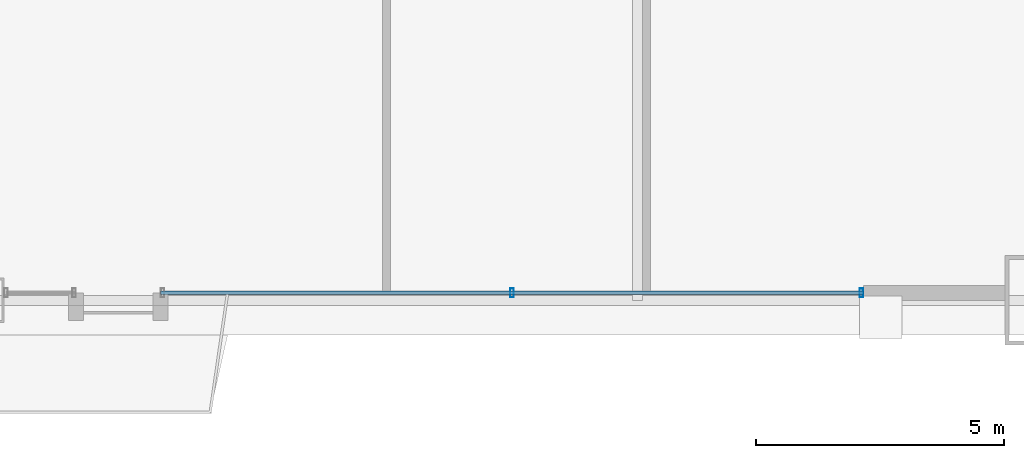
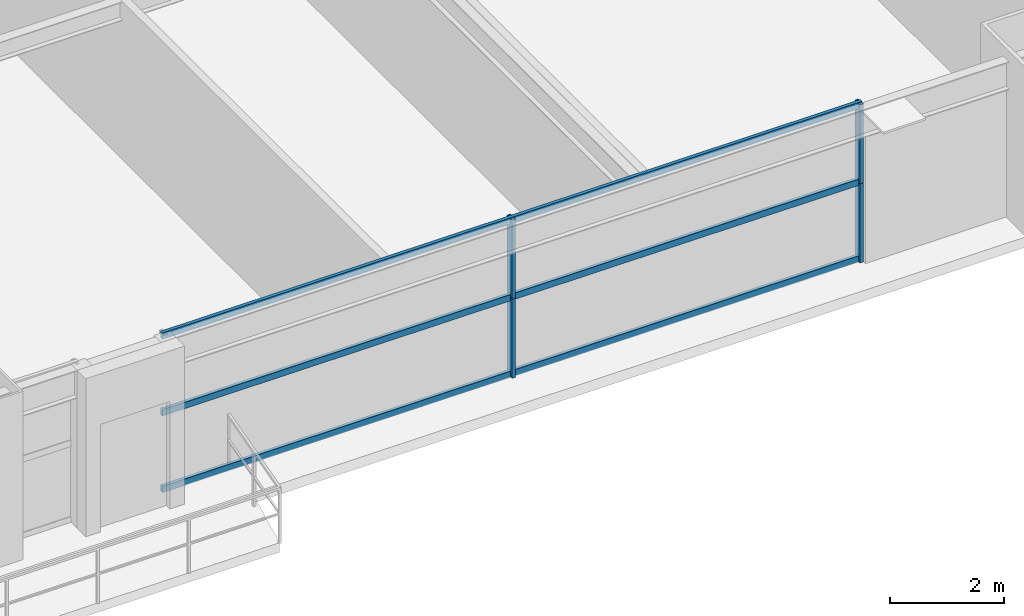
# One storey, part 15 of 43: 7 members, 1 element without a shape of its own.
"""IFC4 building model written with IfcOpenShell, lengths in metres."""

from ifc_helpers import new_model, si_unit, direction, frame, origin, origin_2d, place, context, subcontext, project, spatial, hollow_rectangle, extrude, source, transform, mapped, material, layer, layer_set, material_profile, profile_set, type_object, element, aggregate, save


model = new_model("IFC4")

# Units and contexts
model_context = context("Model", 3, precision=1e-05, world=origin(), true_north=direction((0.0, 1.0)))
body_context = subcontext(model_context, "Body", "Model", "MODEL_VIEW")
ifc_project = project(units=[si_unit("LENGTHUNIT", "METRE"), si_unit("AREAUNIT", "SQUARE_METRE"), si_unit("VOLUMEUNIT", "CUBIC_METRE"), si_unit("PLANEANGLEUNIT", "RADIAN"), si_unit("MASSUNIT", "GRAM", prefix="KILO"), si_unit("THERMODYNAMICTEMPERATUREUNIT", "KELVIN"), si_unit("POWERUNIT", "WATT")], contexts=[model_context])

# Site, building, storey
site_placement = place(None, origin())
site = spatial("IfcSite", under=ifc_project, at=site_placement, CompositionType="ELEMENT")
building_placement = place(site_placement, origin())
building = spatial("IfcBuilding", under=site, at=building_placement, Name="Yuzanri Waterfront Tower", CompositionType="ELEMENT")
storey_placement = place(building_placement, frame((0.0, 0.0, 64.0)))
storey = spatial("IfcBuildingStorey", under=building, at=storey_placement, Name="L16", CompositionType="ELEMENT", Elevation=64.0)

# Curtain wall, members
ifc_material_1 = material(Name="Anodized Architectural Bronze", Category="metal")
ifc_layer = layer(ifc_material_1, 0.159912109375)
ifc_layer_set = layer_set([ifc_layer], Name="Anodized Architectural Bronze")
curtain_wall_type = type_object("IfcCurtainWallType", Name="Anodized Bronze Hotel Lower-Tier Recessed Unitized Curtain Wall 8100", PredefinedType="NOTDEFINED", material=ifc_layer_set)
curtain_wall_placement = place(storey_placement, origin())
curtain_wall = element("IfcCurtainWall", 1, at=curtain_wall_placement, inside=storey, type_object=curtain_wall_type, Name="L16 Curtain Wall CW-L16-SR2", PredefinedType="NOTDEFINED")
ifc_material_2 = material(Name="Anodized Architectural Bronze", Category="metal")
ifc_material_profile_1 = material_profile(ifc_material_2, hollow_rectangle(XDim=0.070068359375, YDim=0.179931640625, WallThickness=0.00390625, at=origin_2d()), Name="CWM 70x180")
ifc_profile_set_1 = profile_set([ifc_material_profile_1], Name="Anodized Architectural Bronze")
member_type_1 = type_object("IfcMemberType", Name="Anodized Bronze Standard Curtain-Wall Mullion 70x180", PredefinedType="MULLION", material=ifc_profile_set_1)
shared_shape_1 = source(origin(), body_context, "Body", "SweptSolid", [
    extrude(hollow_rectangle(XDim=0.070068359375, YDim=0.179931640625, WallThickness=0.00390625, at=origin_2d()), origin(), (0.0, 0.0, 1.0), 1.68798828125),
])
member_1_placement = place(storey_placement, frame((47.675537109375, 0.85009765625, 0.0), z_axis=(0.0, 0.0, 1.0), x_axis=(1.0, 0.0, 0.0)))
member_1 = element("IfcMember", 2, at=member_1_placement, type_object=member_type_1, Name="CW-L16-SR2 Lower Mullion 01", PredefinedType="MULLION", context=body_context, shape_type="MappedRepresentation", body=[
    mapped(shared_shape_1, transform((0.0, 0.0, 0.0), scale=1.0)),
])
member_2_placement = place(storey_placement, frame((47.675537109375, 0.85009765625, 1.69189453125), z_axis=(0.0, 0.0, 1.0), x_axis=(1.0, 0.0, 0.0)))
member_2 = element("IfcMember", 3, at=member_2_placement, type_object=member_type_1, Name="CW-L16-SR2 Upper Mullion 01", PredefinedType="MULLION", context=body_context, shape_type="MappedRepresentation", body=[
    mapped(shared_shape_1, transform((0.0, 0.0, 0.0), scale=1.0)),
])
member_3_placement = place(storey_placement, frame((54.7099609375, 0.85009765625, 0.0), z_axis=(0.0, 0.0, 1.0), x_axis=(1.0, 0.0, 0.0)))
member_3 = element("IfcMember", 4, at=member_3_placement, type_object=member_type_1, Name="CW-L16-SR2 Lower Mullion 02", PredefinedType="MULLION", context=body_context, shape_type="MappedRepresentation", body=[
    mapped(shared_shape_1, transform((0.0, 0.0, 0.0), scale=1.0)),
])
member_4_placement = place(storey_placement, frame((54.7099609375, 0.85009765625, 1.69189453125), z_axis=(0.0, 0.0, 1.0), x_axis=(1.0, 0.0, 0.0)))
member_4 = element("IfcMember", 5, at=member_4_placement, type_object=member_type_1, Name="CW-L16-SR2 Upper Mullion 02", PredefinedType="MULLION", context=body_context, shape_type="MappedRepresentation", body=[
    mapped(shared_shape_1, transform((0.0, 0.0, 0.0), scale=1.0)),
])
ifc_material_3 = material(Name="Anodized Architectural Bronze", Category="metal")
ifc_material_profile_2 = material_profile(ifc_material_3, hollow_rectangle(XDim=0.070068359375, YDim=0.135009765625, WallThickness=0.00341796875, at=origin_2d()), Name="CWT 70x135")
ifc_profile_set_2 = profile_set([ifc_material_profile_2], Name="Anodized Architectural Bronze")
member_type_2 = type_object("IfcMemberType", Name="Anodized Bronze Standard Curtain-Wall Transom 70x135", PredefinedType="USERDEFINED", material=ifc_profile_set_2)
shared_shape_2 = source(origin(), body_context, "Body", "SweptSolid", [
    extrude(hollow_rectangle(XDim=0.070068359375, YDim=0.135009765625, WallThickness=0.00341796875, at=origin_2d()), origin(), (0.0, 0.0, 1.0), 14.14892578125),
])
member_5_placement = place(storey_placement, frame((40.60107421875, 0.85009765625, 0.050048828125), z_axis=(1.0, 0.0, 0.0), x_axis=(0.0, 1.0, 0.0)))
member_5 = element("IfcMember", 6, at=member_5_placement, type_object=member_type_2, Name="CW-L16-SR2 Transom 1", ObjectType="TRANSOM", PredefinedType="USERDEFINED", context=body_context, shape_type="MappedRepresentation", body=[
    mapped(shared_shape_2, transform((0.0, 0.0, 0.0), scale=1.0)),
])
member_6_placement = place(storey_placement, frame((40.60107421875, 0.85009765625, 1.68994140625), z_axis=(1.0, 0.0, 0.0), x_axis=(0.0, 1.0, 0.0)))
member_6 = element("IfcMember", 7, at=member_6_placement, type_object=member_type_2, Name="CW-L16-SR2 Transom 2", ObjectType="TRANSOM", PredefinedType="USERDEFINED", context=body_context, shape_type="MappedRepresentation", body=[
    mapped(shared_shape_2, transform((0.0, 0.0, 0.0), scale=1.0)),
])
member_7_placement = place(storey_placement, frame((40.60107421875, 0.85009765625, 3.330078125), z_axis=(1.0, 0.0, 0.0), x_axis=(0.0, 1.0, 0.0)))
member_7 = element("IfcMember", 8, at=member_7_placement, type_object=member_type_2, Name="CW-L16-SR2 Transom 3", ObjectType="TRANSOM", PredefinedType="USERDEFINED", context=body_context, shape_type="MappedRepresentation", body=[
    mapped(shared_shape_2, transform((0.0, 0.0, 0.0), scale=1.0)),
])
aggregate(curtain_wall, [member_1, member_2, member_3, member_4, member_5, member_6, member_7])

save(model, "model.ifc")
